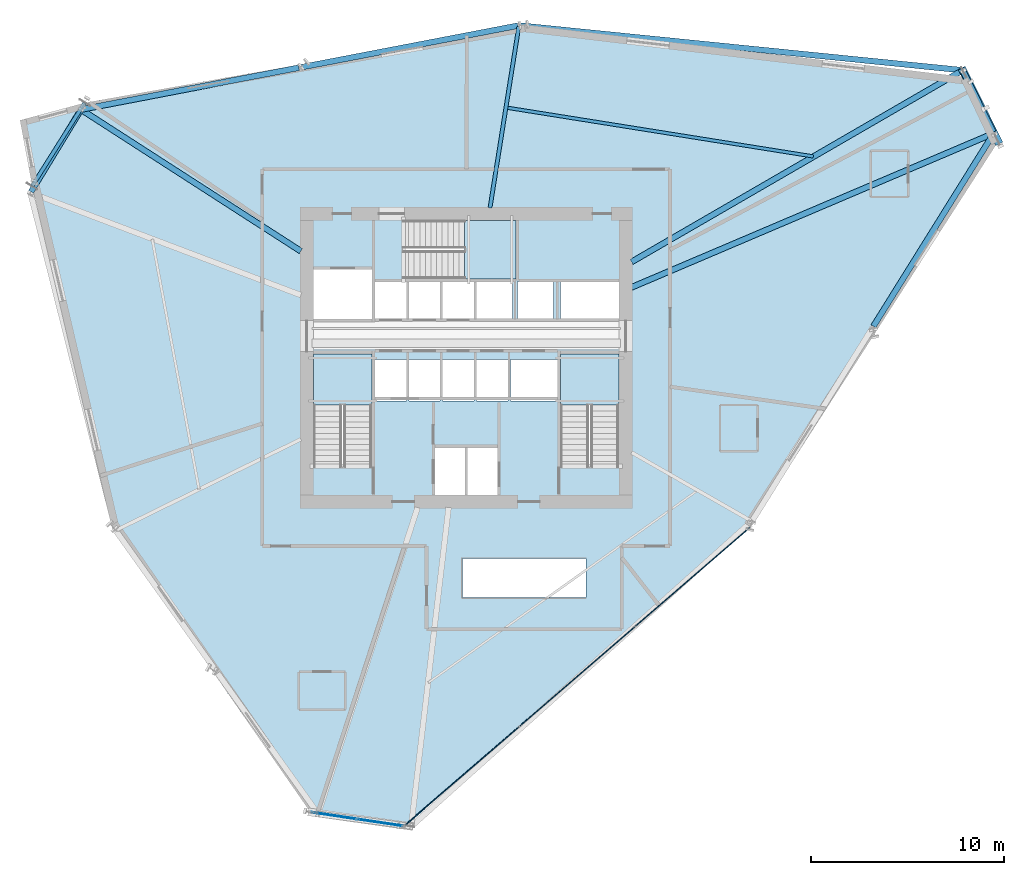
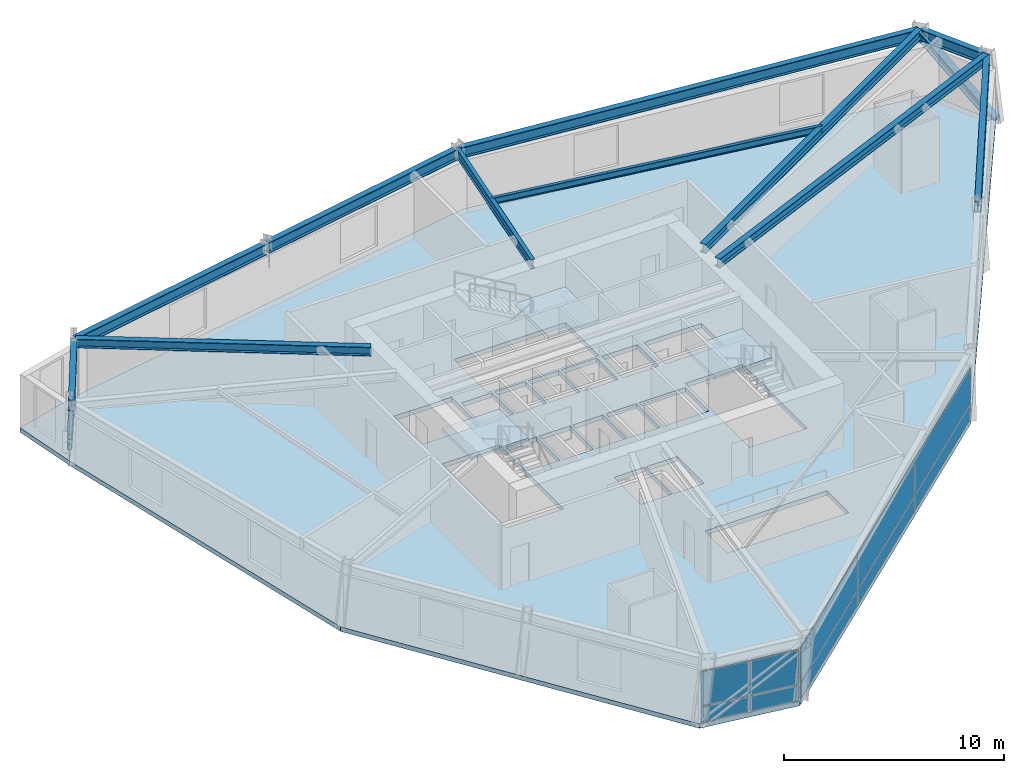
# One storey, part 8 of 16: 11 beams, 10 plates, 5 slabs, 3 members, 5 elements without a shape of their own.
"""IFC4 building model written with IfcOpenShell, lengths in metres."""

from ifc_helpers import new_model, si_unit, direction, frame, origin, origin_2d, place, context, subcontext, project, spatial, polyline, rectangle, hollow_rectangle, i_section, outline, extrude, source, transform, mapped, material, layer, layer_set, material_profile, profile_set, type_object, element, aggregate, save


model = new_model("IFC4")

# Units and contexts
model_context = context("Model", 3, precision=1e-05, world=origin(), true_north=direction((0.0, 1.0)))
body_context = subcontext(model_context, "Body", "Model", "MODEL_VIEW")
ifc_project = project(units=[si_unit("LENGTHUNIT", "METRE"), si_unit("AREAUNIT", "SQUARE_METRE"), si_unit("VOLUMEUNIT", "CUBIC_METRE"), si_unit("PLANEANGLEUNIT", "RADIAN"), si_unit("MASSUNIT", "GRAM", prefix="KILO")], contexts=[model_context])

# Site, building, storey
site_placement = place(None, origin())
site = spatial("IfcSite", under=ifc_project, at=site_placement, CompositionType="ELEMENT")
building_placement = place(site_placement, origin())
building = spatial("IfcBuilding", under=site, at=building_placement, Name="Olszyna Solenne Hotel", CompositionType="ELEMENT")
storey_placement = place(building_placement, frame((0.0, 0.0, 138.10009765625)))
storey = spatial("IfcBuildingStorey", under=building, at=storey_placement, Name="L36", CompositionType="ELEMENT", Elevation=138.10009765625)

# Beams
ifc_material_1 = material(Name="Steel S355J2", Category="steel")
ifc_material_profile_1 = material_profile(ifc_material_1, i_section(OverallWidth=0.300048828125, OverallDepth=0.60009765625, WebThickness=0.015380859375, FlangeThickness=0.030029296875, at=origin_2d()), Name="HEB 600", Category="load-bearing")
ifc_profile_set_1 = profile_set([ifc_material_profile_1], Name="Steel S355J2")
beam_type_1 = type_object("IfcBeamType", Name="BM-S2", PredefinedType="BEAM", material=ifc_profile_set_1)
shared_shape_1 = source(origin(), body_context, "Body", "SweptSolid", [
    extrude(i_section(OverallWidth=0.300048828125, OverallDepth=0.60009765625, WebThickness=0.015380859375, FlangeThickness=0.030029296875, at=origin_2d()), origin(), (0.0, 0.0, 1.0), 3.515380859375),
])
beam_1_placement = place(storey_placement, frame((65.2705078125, 38.2666015625, 3.27978515625), z_axis=(-0.442317737006, 0.896858416658, 0.0), x_axis=(-0.896858416658, -0.442317737006, 0.0)))
element("IfcBeam", 1, at=beam_1_placement, inside=storey, type_object=beam_type_1, Name="Perimeter spandrel beam BM-S2 B-L36-1069", PredefinedType="BEAM", context=body_context, shape_type="MappedRepresentation", body=[
    mapped(shared_shape_1, transform((0.0, 0.0, 0.0), x_axis=(1.0, 0.0, 0.0), y_axis=(0.0, 1.0, 0.0), z_axis=(0.0, 0.0, 1.0), scale=1.0)),
])
shared_shape_2 = source(origin(), body_context, "Body", "SweptSolid", [
    extrude(i_section(OverallWidth=0.300048828125, OverallDepth=0.60009765625, WebThickness=0.015380859375, FlangeThickness=0.030029296875, at=origin_2d()), origin(), (0.0, 0.0, 1.0), 22.95458984375),
])
beam_2_placement = place(storey_placement, frame((63.62939453125, 41.479248046875, 3.27978515625), z_axis=(-0.994945897154, 0.10041245807, 0.0), x_axis=(-0.10041245807, -0.994945897154, 0.0)))
element("IfcBeam", 2, at=beam_2_placement, inside=storey, type_object=beam_type_1, Name="Perimeter spandrel beam BM-S2 B-L36-1070", PredefinedType="BEAM", context=body_context, shape_type="MappedRepresentation", body=[
    mapped(shared_shape_2, transform((0.0, 0.0, 0.0), x_axis=(1.0, 0.0, 0.0), y_axis=(0.0, 1.0, 0.0), z_axis=(0.0, 0.0, 1.0), scale=1.0)),
])
shared_shape_3 = source(origin(), body_context, "Body", "SweptSolid", [
    extrude(i_section(OverallWidth=0.300048828125, OverallDepth=0.60009765625, WebThickness=0.015380859375, FlangeThickness=0.030029296875, at=origin_2d()), origin(), (0.0, 0.0, 1.0), 11.417236328125),
])
for number, where, z_axis, x_axis, name in (
    (3, (40.672119140625, 43.77880859375, 3.27978515625), (-0.982057657962, -0.188580901571, 0.0), (0.188580901571, -0.982057657962, 0.0), "Perimeter spandrel beam BM-S2 B-L36-1071"),
    (4, (29.341796875, 41.603271484375, 3.27978515625), (-0.982057657962, -0.188580901571, 0.0), (0.188580901571, -0.982057657962, 0.0), "Perimeter spandrel beam BM-S2 B-L36-1072"),
):
    element("IfcBeam", number, at=place(storey_placement, frame(where, z_axis=z_axis, x_axis=x_axis)), inside=storey, type_object=beam_type_1, Name=name, PredefinedType="BEAM", context=body_context, shape_type="MappedRepresentation", body=[
        mapped(shared_shape_3, transform((0.0, 0.0, 0.0), x_axis=(1.0, 0.0, 0.0), y_axis=(0.0, 1.0, 0.0), z_axis=(0.0, 0.0, 1.0), scale=1.0)),
    ])
shared_shape_4 = source(origin(), body_context, "Body", "SweptSolid", [
    extrude(i_section(OverallWidth=0.300048828125, OverallDepth=0.60009765625, WebThickness=0.015380859375, FlangeThickness=0.030029296875, at=origin_2d()), origin(), (0.0, 0.0, 1.0), 4.91845703125),
])
beam_3_placement = place(storey_placement, frame((18.039306640625, 39.3876953125, 3.27978515625), z_axis=(-0.519450831912, -0.854500341267, 0.0), x_axis=(0.854500341267, -0.519450831912, 0.0)))
element("IfcBeam", 5, at=beam_3_placement, inside=storey, type_object=beam_type_1, Name="Perimeter spandrel beam BM-S2 B-L36-1073", PredefinedType="BEAM", context=body_context, shape_type="MappedRepresentation", body=[
    mapped(shared_shape_4, transform((0.0, 0.0, 0.0), x_axis=(1.0, 0.0, 0.0), y_axis=(0.0, 1.0, 0.0), z_axis=(0.0, 0.0, 1.0), scale=1.0)),
])
shared_shape_5 = source(origin(), body_context, "Body", "SweptSolid", [
    extrude(i_section(OverallWidth=0.300048828125, OverallDepth=0.60009765625, WebThickness=0.015380859375, FlangeThickness=0.030029296875, at=origin_2d()), origin(), (0.0, 0.0, 1.0), 11.7109375),
])
beam_4_placement = place(storey_placement, frame((59.069580078125, 28.22412109375, 3.27978515625), z_axis=(0.529059789284, 0.848584550509, 0.0), x_axis=(-0.848584550509, 0.529059789284, 0.0)))
element("IfcBeam", 6, at=beam_4_placement, inside=storey, type_object=beam_type_1, Name="Perimeter spandrel beam BM-S2 B-L36-1080", PredefinedType="BEAM", context=body_context, shape_type="MappedRepresentation", body=[
    mapped(shared_shape_5, transform((0.0, 0.0, 0.0), x_axis=(1.0, 0.0, 0.0), y_axis=(0.0, 1.0, 0.0), z_axis=(0.0, 0.0, 1.0), scale=1.0)),
])
ifc_material_profile_2 = material_profile(ifc_material_1, i_section(OverallWidth=0.300048828125, OverallDepth=0.489990234375, WebThickness=0.011962890625, FlangeThickness=0.02294921875, at=origin_2d()), Name="HEA 500", Category="load-bearing")
ifc_profile_set_2 = profile_set([ifc_material_profile_2], Name="Steel S355J2")
beam_type_2 = type_object("IfcBeamType", Name="BM-G1", PredefinedType="BEAM", material=ifc_profile_set_2)
shared_shape_6 = source(origin(), body_context, "Body", "SweptSolid", [
    extrude(i_section(OverallWidth=0.300048828125, OverallDepth=0.489990234375, WebThickness=0.011962890625, FlangeThickness=0.02294921875, at=origin_2d()), origin(), (0.0, 0.0, 1.0), 20.30859375),
])
beam_5_placement = place(storey_placement, frame((65.24169921875, 38.189208984375, 3.3349609375), z_axis=(-0.92019075631, -0.391470269626, 0.0), x_axis=(0.391470269626, -0.92019075631, 0.0)))
element("IfcBeam", 7, at=beam_5_placement, inside=storey, type_object=beam_type_2, Name="Radial floor girder BM-G1 B-L36-1081", PredefinedType="BEAM", context=body_context, shape_type="MappedRepresentation", body=[
    mapped(shared_shape_6, transform((0.0, 0.0, 0.0), x_axis=(1.0, 0.0, 0.0), y_axis=(0.0, 1.0, 0.0), z_axis=(0.0, 0.0, 1.0), scale=1.0)),
])
shared_shape_7 = source(origin(), body_context, "Body", "SweptSolid", [
    extrude(i_section(OverallWidth=0.300048828125, OverallDepth=0.489990234375, WebThickness=0.011962890625, FlangeThickness=0.02294921875, at=origin_2d()), origin(), (0.0, 0.0, 1.0), 19.736572265625),
])
beam_6_placement = place(storey_placement, frame((63.63720703125, 41.443115234375, 3.3349609375), z_axis=(-0.865422615551, -0.501042609458, 0.0), x_axis=(0.501042609458, -0.865422615551, 0.0)))
element("IfcBeam", 8, at=beam_6_placement, inside=storey, type_object=beam_type_2, Name="Radial floor girder BM-G1 B-L36-1082", PredefinedType="BEAM", context=body_context, shape_type="MappedRepresentation", body=[
    mapped(shared_shape_7, transform((0.0, 0.0, 0.0), x_axis=(1.0, 0.0, 0.0), y_axis=(0.0, 1.0, 0.0), z_axis=(0.0, 0.0, 1.0), scale=1.0)),
])
ifc_material_profile_3 = material_profile(ifc_material_1, i_section(OverallWidth=0.199951171875, OverallDepth=0.5, WebThickness=0.01025390625, FlangeThickness=0.01611328125, at=origin_2d()), Name="IPE 500", Category="load-bearing")
ifc_profile_set_3 = profile_set([ifc_material_profile_3], Name="Steel S355J2")
beam_type_3 = type_object("IfcBeamType", Name="BM-F3", PredefinedType="BEAM", material=ifc_profile_set_3)
shared_shape_8 = source(origin(), body_context, "Body", "SweptSolid", [
    extrude(i_section(OverallWidth=0.199951171875, OverallDepth=0.5, WebThickness=0.01025390625, FlangeThickness=0.01611328125, at=origin_2d()), origin(), (0.0, 0.0, 1.0), 9.498046875),
])
beam_7_placement = place(storey_placement, frame((40.7216796875, 43.73095703125, 3.329833984375), z_axis=(-0.156899671891, -0.987614546754, 0.0), x_axis=(0.987614546754, -0.156899671891, 0.0)))
element("IfcBeam", 9, at=beam_7_placement, inside=storey, type_object=beam_type_3, Name="Radial floor girder BM-F3 B-L36-1083", PredefinedType="BEAM", context=body_context, shape_type="MappedRepresentation", body=[
    mapped(shared_shape_8, transform((0.0, 0.0, 0.0), x_axis=(1.0, 0.0, 0.0), y_axis=(0.0, 1.0, 0.0), z_axis=(0.0, 0.0, 1.0), scale=1.0)),
])
shared_shape_9 = source(origin(), body_context, "Body", "SweptSolid", [
    extrude(i_section(OverallWidth=0.300048828125, OverallDepth=0.489990234375, WebThickness=0.011962890625, FlangeThickness=0.02294921875, at=origin_2d()), origin(), (0.0, 0.0, 1.0), 13.466796875),
])
beam_8_placement = place(storey_placement, frame((18.12109375, 39.406494140625, 3.3349609375), z_axis=(0.840652657715, -0.541574656975, 0.0), x_axis=(0.541574656975, 0.840652657715, 0.0)))
element("IfcBeam", 10, at=beam_8_placement, inside=storey, type_object=beam_type_2, Name="Radial floor girder BM-G1 B-L36-1084", PredefinedType="BEAM", context=body_context, shape_type="MappedRepresentation", body=[
    mapped(shared_shape_9, transform((0.0, 0.0, 0.0), x_axis=(1.0, 0.0, 0.0), y_axis=(0.0, 1.0, 0.0), z_axis=(0.0, 0.0, 1.0), scale=1.0)),
])
ifc_material_profile_4 = material_profile(ifc_material_1, i_section(OverallWidth=0.169921875, OverallDepth=0.360107421875, WebThickness=0.008056640625, FlangeThickness=0.0126953125, at=origin_2d()), Name="IPE 360", Category="load-bearing")
ifc_profile_set_4 = profile_set([ifc_material_profile_4], Name="Steel S355J2")
beam_type_4 = type_object("IfcBeamType", Name="JS-01", PredefinedType="JOIST", material=ifc_profile_set_4)
shared_shape_10 = source(origin(), body_context, "Body", "SweptSolid", [
    extrude(i_section(OverallWidth=0.169921875, OverallDepth=0.360107421875, WebThickness=0.008056640625, FlangeThickness=0.0126953125, at=origin_2d()), origin(), (0.0, 0.0, 1.0), 16.08349609375),
])
beam_9_placement = place(storey_placement, frame((55.959716796875, 37.0126953125, 3.39990234375), z_axis=(-0.987583732022, 0.157093514336, 0.0), x_axis=(-0.157093514336, -0.987583732022, 0.0)))
element("IfcBeam", 11, at=beam_9_placement, inside=storey, type_object=beam_type_4, Name="Secondary composite floor joist JS-01 B-L36-1090", PredefinedType="JOIST", context=body_context, shape_type="MappedRepresentation", body=[
    mapped(shared_shape_10, transform((0.0, 0.0, 0.0), x_axis=(1.0, 0.0, 0.0), y_axis=(0.0, 1.0, 0.0), z_axis=(0.0, 0.0, 1.0), scale=1.0)),
])

# Members
ifc_material_profile_5 = material_profile(ifc_material_1, hollow_rectangle(XDim=0.199951171875, YDim=0.300048828125, WallThickness=0.01611328125, at=origin_2d()), Name="RHS 300x200x16", Category="load-bearing")
ifc_profile_set_5 = profile_set([ifc_material_profile_5], Name="Steel S355J2")
member_type_1 = type_object("IfcMemberType", Name="CH-PR1", PredefinedType="CHORD", material=ifc_profile_set_5)
shared_shape_11 = source(origin(), body_context, "Body", "SweptSolid", [
    extrude(hollow_rectangle(XDim=0.199951171875, YDim=0.300048828125, WallThickness=0.01611328125, at=origin_2d()), origin(), (0.0, 0.0, 1.0), 5.091796875),
])
for number, where, z_axis, x_axis, name in (
    (12, (18.25927734375, 39.78564453125, 1.349853515625), (-0.532836159759, -0.84621842739, 0.0), (0.84621842739, -0.532836159759, 0.0), "Glass-prism tie chord CH-PR1 M-L36-PR1"),
    (13, (18.25927734375, 39.78564453125, 0.77978515625), (-0.532836159759, -0.84621842739, 0.0), (0.84621842739, -0.532836159759, 0.0), "Glass-prism tie chord CH-PR1 M-L36-PR2"),
):
    element("IfcMember", number, at=place(storey_placement, frame(where, z_axis=z_axis, x_axis=x_axis)), inside=storey, type_object=member_type_1, Name=name, PredefinedType="CHORD", context=body_context, shape_type="MappedRepresentation", body=[
        mapped(shared_shape_11, transform((0.0, 0.0, 0.0), x_axis=(1.0, 0.0, 0.0), y_axis=(0.0, 1.0, 0.0), z_axis=(0.0, 0.0, 1.0), scale=1.0)),
    ])
ifc_material_2 = material(Name="Steel S460M", Category="steel")
ifc_material_profile_6 = material_profile(ifc_material_2, i_section(OverallWidth=0.406005859375, OverallDepth=0.416015625, WebThickness=0.026611328125, FlangeThickness=0.04150390625, at=origin_2d()), Name="HD 400x382", Category="load-bearing")
ifc_profile_set_6 = profile_set([ifc_material_profile_6], Name="Steel S460M")
member_type_2 = type_object("IfcMemberType", Name="BR-T2", PredefinedType="BRACE", material=ifc_profile_set_6)
shared_shape_12 = source(origin(), body_context, "Body", "SweptSolid", [
    extrude(i_section(OverallWidth=0.406005859375, OverallDepth=0.416015625, WebThickness=0.026611328125, FlangeThickness=0.04150390625, at=origin_2d()), origin(), (0.0, 0.0, 1.0), 5.241455078125),
])
member_placement = place(storey_placement, frame((65.524169921875, 37.78466796875, 0.010009765625), z_axis=(-0.350137060595, 0.703767573305, 0.618154706819), x_axis=(-0.895314279627, -0.445435001652, 0.0)))
element("IfcMember", 14, at=member_placement, inside=storey, type_object=member_type_2, Name="Perimeter braced-tube diagonal BR-T2 BR-L36-1", PredefinedType="BRACE", context=body_context, shape_type="MappedRepresentation", body=[
    mapped(shared_shape_12, transform((0.0, 0.0, 0.0), x_axis=(1.0, 0.0, 0.0), y_axis=(0.0, 1.0, 0.0), z_axis=(0.0, 0.0, 1.0), scale=1.0)),
])

# Stair, slab
ifc_material_3 = material(Name="Concrete C40/50", Category="concrete")
stair_type = type_object("IfcStairType", Name="STR-C1", PredefinedType="TWO_QUARTER_WINDING_STAIR", material=ifc_material_3)
stair_1_placement = place(storey_placement, origin())
stair_1 = element("IfcStair", 15, at=stair_1_placement, inside=storey, type_object=stair_type, Name="L36 ST1", PredefinedType="TWO_QUARTER_WINDING_STAIR")
ifc_layer_1 = layer(ifc_material_3, 0.18994140625, Name="Concrete C40/50")
ifc_layer_set_1 = layer_set([ifc_layer_1], Name="Concrete C40/50")
slab_type_1 = type_object("IfcSlabType", Name="SL-LN190", PredefinedType="LANDING", material=ifc_layer_set_1)
slab_1_placement = place(storey_placement, frame((0.0, 0.0, 1.7998046875)))
slab_1 = element("IfcSlab", 16, at=slab_1_placement, type_object=slab_type_1, Name="ST1 landing 1", PredefinedType="LANDING", context=body_context, shape_type="SweptSolid", body=[
    extrude(outline(polyline([(33.1201171875, 24.139892578125), (33.1201171875, 26.800048828125), (30.10009765625, 26.800048828125), (30.10009765625, 24.139892578125), (33.1201171875, 24.139892578125)])), origin(), (0.0, 0.0, 1.0), 0.2001953125),
])
aggregate(stair_1, [slab_1])

stair_2_placement = place(storey_placement, origin())
stair_2 = element("IfcStair", 17, at=stair_2_placement, inside=storey, type_object=stair_type, Name="L36 ST2", PredefinedType="TWO_QUARTER_WINDING_STAIR")
slab_2_placement = place(storey_placement, frame((0.0, 0.0, 1.7998046875)))
slab_2 = element("IfcSlab", 18, at=slab_2_placement, type_object=slab_type_1, Name="ST2 landing 1", PredefinedType="LANDING", context=body_context, shape_type="SweptSolid", body=[
    extrude(outline(polyline([(45.89990234375, 24.139892578125), (45.89990234375, 26.800048828125), (42.8798828125, 26.800048828125), (42.8798828125, 24.139892578125), (45.89990234375, 24.139892578125)])), origin(), (0.0, 0.0, 1.0), 0.2001953125),
])
aggregate(stair_2, [slab_2])

stair_3_placement = place(storey_placement, origin())
stair_3 = element("IfcStair", 19, at=stair_3_placement, inside=storey, type_object=stair_type, Name="L36 ST3", PredefinedType="TWO_QUARTER_WINDING_STAIR")
slab_3_placement = place(storey_placement, frame((0.0, 0.0, 1.7998046875)))
slab_3 = element("IfcSlab", 20, at=slab_3_placement, type_object=slab_type_1, Name="ST3 landing 1", PredefinedType="LANDING", context=body_context, shape_type="SweptSolid", body=[
    extrude(outline(polyline([(37.919921875, 30.679931640625), (40.580078125, 30.679931640625), (40.580078125, 33.699951171875), (37.919921875, 33.699951171875), (37.919921875, 30.679931640625)])), origin(), (0.0, 0.0, 1.0), 0.2001953125),
])
aggregate(stair_3, [slab_3])

# Slabs
ifc_material_4 = material(Name="Concrete C50/60", Category="concrete")
ifc_layer_2 = layer(ifc_material_4, 0.25, Name="Concrete C50/60")
ifc_layer_set_2 = layer_set([ifc_layer_2], Name="Concrete C50/60")
slab_type_2 = type_object("IfcSlabType", Name="SL-TW250", PredefinedType="FLOOR", material=ifc_layer_set_2)
slab_4_placement = place(storey_placement, frame((0.0, 0.0, -0.25)))
element("IfcSlab", 21, at=slab_4_placement, inside=storey, type_object=slab_type_2, Name="Floor slab SL-TW250 SL-L36-01", PredefinedType="FLOOR", context=body_context, shape_type="SweptSolid", body=[
    extrude(outline(polyline([(65.524169921875, 37.78466796875), (63.951171875, 41.1044921875), (41.00732421875, 43.83154296875), (18.25927734375, 39.78564453125), (15.546142578125, 35.476806640625), (19.64404296875, 17.906494140625), (29.934326171875, 3.086669921875), (34.78515625, 2.36181640625), (52.71337890625, 17.852783203125), (65.524169921875, 37.78466796875)]), holes=[polyline([(30.10009765625, 20.949951171875), (33.1201171875, 20.949951171875), (33.1201171875, 26.800048828125), (30.10009765625, 26.800048828125), (30.10009765625, 20.949951171875)]), polyline([(42.8798828125, 20.949951171875), (45.89990234375, 20.949951171875), (45.89990234375, 26.800048828125), (42.8798828125, 26.800048828125), (42.8798828125, 20.949951171875)]), polyline([(34.72998046875, 30.679931640625), (40.580078125, 30.679931640625), (40.580078125, 33.699951171875), (34.72998046875, 33.699951171875), (34.72998046875, 30.679931640625)]), polyline([(36.340087890625, 19.5), (37.9599609375, 19.5), (37.9599609375, 21.9599609375), (36.340087890625, 21.9599609375), (36.340087890625, 19.5)]), polyline([(38.0400390625, 19.5), (39.659912109375, 19.5), (39.659912109375, 21.9599609375), (38.0400390625, 21.9599609375), (38.0400390625, 19.5)]), polyline([(30.10009765625, 28.60009765625), (33.1201171875, 28.60009765625), (33.1201171875, 31.159912109375), (30.10009765625, 31.159912109375), (30.10009765625, 28.60009765625)]), polyline([(33.280029296875, 24.360107421875), (34.89990234375, 24.360107421875), (34.89990234375, 26.5), (33.280029296875, 26.5), (33.280029296875, 24.360107421875)]), polyline([(35.030029296875, 24.360107421875), (36.64990234375, 24.360107421875), (36.64990234375, 26.5), (35.030029296875, 26.5), (35.030029296875, 24.360107421875)]), polyline([(36.780029296875, 24.360107421875), (38.39990234375, 24.360107421875), (38.39990234375, 26.5), (36.780029296875, 26.5), (36.780029296875, 24.360107421875)]), polyline([(38.530029296875, 24.360107421875), (40.14990234375, 24.360107421875), (40.14990234375, 26.5), (38.530029296875, 26.5), (38.530029296875, 24.360107421875)]), polyline([(40.280029296875, 24.360107421875), (42.719970703125, 24.360107421875), (42.719970703125, 26.5), (40.280029296875, 26.5), (40.280029296875, 24.360107421875)]), polyline([(33.280029296875, 28.60009765625), (34.89990234375, 28.60009765625), (34.89990234375, 30.550048828125), (33.280029296875, 30.550048828125), (33.280029296875, 28.60009765625)]), polyline([(35.030029296875, 28.60009765625), (36.64990234375, 28.60009765625), (36.64990234375, 30.550048828125), (35.030029296875, 30.550048828125), (35.030029296875, 28.60009765625)]), polyline([(36.780029296875, 28.60009765625), (38.39990234375, 28.60009765625), (38.39990234375, 30.550048828125), (36.780029296875, 30.550048828125), (36.780029296875, 28.60009765625)]), polyline([(38.530029296875, 28.60009765625), (40.389892578125, 28.60009765625), (40.389892578125, 30.550048828125), (38.530029296875, 30.550048828125), (38.530029296875, 28.60009765625)]), polyline([(40.659912109375, 28.60009765625), (42.52001953125, 28.60009765625), (42.52001953125, 30.550048828125), (40.659912109375, 30.550048828125), (40.659912109375, 28.60009765625)]), polyline([(42.8798828125, 28.60009765625), (45.89990234375, 28.60009765625), (45.89990234375, 30.550048828125), (42.8798828125, 30.550048828125), (42.8798828125, 28.60009765625)]), polyline([(37.800048828125, 14.199951171875), (44.199951171875, 14.199951171875), (44.199951171875, 16.199951171875), (37.800048828125, 16.199951171875), (37.800048828125, 14.199951171875)])]), origin(), (0.0, 0.0, 1.0), 0.25),
])
slab_5_placement = place(storey_placement, frame((0.0, 0.0, -0.25)))
element("IfcSlab", 22, at=slab_5_placement, inside=storey, type_object=slab_type_2, Name="Faceted glass-prism floor slab SL-L36-PR", PredefinedType="FLOOR", context=body_context, shape_type="SweptSolid", body=[
    extrude(outline(polyline([(15.54345703125, 35.491455078125), (18.2451171875, 39.78173828125), (14.9140625, 38.88330078125), (15.54345703125, 35.491455078125)])), origin(), (0.0, 0.0, 1.0), 0.25),
])

# Curtain wall, plates
ifc_material_5 = material(Name="Anodised bronze aluminium", Category="aluminium")
curtain_wall_type = type_object("IfcCurtainWallType", Name="CW-SYS-6", PredefinedType="NOTDEFINED", material=ifc_material_5)
curtain_wall_1_placement = place(storey_placement, origin())
curtain_wall_1 = element("IfcCurtainWall", 23, at=curtain_wall_1_placement, inside=storey, type_object=curtain_wall_type, Name="Unitised curtain wall CW-SYS-6 CW-L36-01", PredefinedType="NOTDEFINED")
ifc_material_6 = material(Name="Terracotta cladding", Category="masonry")
plate_type_1 = type_object("IfcPlateType", Name="PN-SP1", PredefinedType="CURTAIN_PANEL", material=ifc_material_6)
shared_shape_13 = source(origin(), body_context, "Body", "SweptSolid", [
    extrude(rectangle(XDim=7.77783203125, YDim=0.048095703125, at=origin_2d()), origin(), (0.0, 0.0, 1.0), 0.83740234375),
])
plate_1_placement = place(storey_placement, frame((37.788330078125, 4.95654296875, 0.074951171875), z_axis=(0.0, 0.0, 1.0), x_axis=(0.756663174805, 0.653804894363, 0.0)))
plate_1 = element("IfcPlate", 24, at=plate_1_placement, type_object=plate_type_1, Name="Curtain-wall panel PN-SP1 CP-L36-01-01", PredefinedType="CURTAIN_PANEL", context=body_context, shape_type="MappedRepresentation", body=[
    mapped(shared_shape_13, transform((0.0, 0.0, 0.0), x_axis=(1.0, 0.0, 0.0), y_axis=(0.0, 1.0, 0.0), z_axis=(0.0, 0.0, 1.0), scale=1.0)),
])
plate_2_placement = place(storey_placement, frame((49.710205078125, 15.2578125, 0.074951171875), z_axis=(0.0, 0.0, 1.0), x_axis=(0.756663174805, 0.653804894363, 0.0)))
plate_2 = element("IfcPlate", 25, at=plate_2_placement, type_object=plate_type_1, Name="Curtain-wall panel PN-SP1 CP-L36-01-05", PredefinedType="CURTAIN_PANEL", context=body_context, shape_type="MappedRepresentation", body=[
    mapped(shared_shape_13, transform((0.0, 0.0, 0.0), x_axis=(1.0, 0.0, 0.0), y_axis=(0.0, 1.0, 0.0), z_axis=(0.0, 0.0, 1.0), scale=1.0)),
])
ifc_material_7 = material(Name="Low-E triple glazing", Category="glass")
plate_type_2 = type_object("IfcPlateType", Name="PN-GL2", PredefinedType="CURTAIN_PANEL", material=ifc_material_7)
shared_shape_14 = source(origin(), body_context, "Body", "SweptSolid", [
    extrude(rectangle(XDim=7.77783203125, YDim=0.048095703125, at=origin_2d()), origin(), (0.0, 0.0, 1.0), 1.909423828125),
])
plate_3_placement = place(storey_placement, frame((37.788330078125, 4.95654296875, 0.9873046875), z_axis=(0.0, 0.0, 1.0), x_axis=(0.756663174805, 0.653804894363, 0.0)))
plate_3 = element("IfcPlate", 26, at=plate_3_placement, type_object=plate_type_2, Name="Curtain-wall panel PN-GL2 CP-L36-01-02", PredefinedType="CURTAIN_PANEL", context=body_context, shape_type="MappedRepresentation", body=[
    mapped(shared_shape_14, transform((0.0, 0.0, 0.0), x_axis=(1.0, 0.0, 0.0), y_axis=(0.0, 1.0, 0.0), z_axis=(0.0, 0.0, 1.0), scale=1.0)),
])
plate_4_placement = place(storey_placement, frame((49.710205078125, 15.2578125, 0.9873046875), z_axis=(0.0, 0.0, 1.0), x_axis=(0.756663174805, 0.653804894363, 0.0)))
plate_4 = element("IfcPlate", 27, at=plate_4_placement, type_object=plate_type_2, Name="Curtain-wall panel PN-GL2 CP-L36-01-06", PredefinedType="CURTAIN_PANEL", context=body_context, shape_type="MappedRepresentation", body=[
    mapped(shared_shape_14, transform((0.0, 0.0, 0.0), x_axis=(1.0, 0.0, 0.0), y_axis=(0.0, 1.0, 0.0), z_axis=(0.0, 0.0, 1.0), scale=1.0)),
])
shared_shape_15 = source(origin(), body_context, "Body", "SweptSolid", [
    extrude(rectangle(XDim=7.81787109375, YDim=0.048095703125, at=origin_2d()), origin(), (0.0, 0.0, 1.0), 0.83740234375),
])
plate_5_placement = place(storey_placement, frame((43.749267578125, 10.107177734375, 0.074951171875), z_axis=(0.0, 0.0, 1.0), x_axis=(0.756663174805, 0.653804894363, 0.0)))
plate_5 = element("IfcPlate", 28, at=plate_5_placement, type_object=plate_type_1, Name="Curtain-wall panel PN-SP1 CP-L36-01-03", PredefinedType="CURTAIN_PANEL", context=body_context, shape_type="MappedRepresentation", body=[
    mapped(shared_shape_15, transform((0.0, 0.0, 0.0), x_axis=(1.0, 0.0, 0.0), y_axis=(0.0, 1.0, 0.0), z_axis=(0.0, 0.0, 1.0), scale=1.0)),
])
shared_shape_16 = source(origin(), body_context, "Body", "SweptSolid", [
    extrude(rectangle(XDim=7.81787109375, YDim=0.048095703125, at=origin_2d()), origin(), (0.0, 0.0, 1.0), 1.909423828125),
])
plate_6_placement = place(storey_placement, frame((43.749267578125, 10.107177734375, 0.9873046875), z_axis=(0.0, 0.0, 1.0), x_axis=(0.756663174805, 0.653804894363, 0.0)))
plate_6 = element("IfcPlate", 29, at=plate_6_placement, type_object=plate_type_2, Name="Curtain-wall panel PN-GL2 CP-L36-01-04", PredefinedType="CURTAIN_PANEL", context=body_context, shape_type="MappedRepresentation", body=[
    mapped(shared_shape_16, transform((0.0, 0.0, 0.0), x_axis=(1.0, 0.0, 0.0), y_axis=(0.0, 1.0, 0.0), z_axis=(0.0, 0.0, 1.0), scale=1.0)),
])
aggregate(curtain_wall_1, [plate_1, plate_3, plate_5, plate_6, plate_2, plate_4])

curtain_wall_2_placement = place(storey_placement, origin())
curtain_wall_2 = element("IfcCurtainWall", 30, at=curtain_wall_2_placement, inside=storey, type_object=curtain_wall_type, Name="Unitised curtain wall CW-SYS-6 CW-L36-02", PredefinedType="NOTDEFINED")
shared_shape_17 = source(origin(), body_context, "Body", "SweptSolid", [
    extrude(rectangle(XDim=2.332275390625, YDim=0.048095703125, at=origin_2d()), origin(), (0.0, 0.0, 1.0), 0.83740234375),
])
plate_7_placement = place(storey_placement, frame((31.166748046875, 2.90234375, 0.074951171875), z_axis=(0.0, 0.0, 1.0), x_axis=(0.98901800511, -0.14779507965, 0.0)))
plate_7 = element("IfcPlate", 31, at=plate_7_placement, type_object=plate_type_1, Name="Curtain-wall panel PN-SP1 CP-L36-02-01", PredefinedType="CURTAIN_PANEL", context=body_context, shape_type="MappedRepresentation", body=[
    mapped(shared_shape_17, transform((0.0, 0.0, 0.0), x_axis=(1.0, 0.0, 0.0), y_axis=(0.0, 1.0, 0.0), z_axis=(0.0, 0.0, 1.0), scale=1.0)),
])
plate_8_placement = place(storey_placement, frame((33.552734375, 2.5458984375, 0.074951171875), z_axis=(0.0, 0.0, 1.0), x_axis=(0.98901800511, -0.14779507965, 0.0)))
plate_8 = element("IfcPlate", 32, at=plate_8_placement, type_object=plate_type_1, Name="Curtain-wall panel PN-SP1 CP-L36-02-03", PredefinedType="CURTAIN_PANEL", context=body_context, shape_type="MappedRepresentation", body=[
    mapped(shared_shape_17, transform((0.0, 0.0, 0.0), x_axis=(1.0, 0.0, 0.0), y_axis=(0.0, 1.0, 0.0), z_axis=(0.0, 0.0, 1.0), scale=1.0)),
])
shared_shape_18 = source(origin(), body_context, "Body", "SweptSolid", [
    extrude(rectangle(XDim=2.332275390625, YDim=0.048095703125, at=origin_2d()), origin(), (0.0, 0.0, 1.0), 1.909423828125),
])
plate_9_placement = place(storey_placement, frame((31.166748046875, 2.90234375, 0.9873046875), z_axis=(0.0, 0.0, 1.0), x_axis=(0.98901800511, -0.14779507965, 0.0)))
plate_9 = element("IfcPlate", 33, at=plate_9_placement, type_object=plate_type_2, Name="Curtain-wall panel PN-GL2 CP-L36-02-02", PredefinedType="CURTAIN_PANEL", context=body_context, shape_type="MappedRepresentation", body=[
    mapped(shared_shape_18, transform((0.0, 0.0, 0.0), x_axis=(1.0, 0.0, 0.0), y_axis=(0.0, 1.0, 0.0), z_axis=(0.0, 0.0, 1.0), scale=1.0)),
])
plate_10_placement = place(storey_placement, frame((33.552734375, 2.5458984375, 0.9873046875), z_axis=(0.0, 0.0, 1.0), x_axis=(0.98901800511, -0.14779507965, 0.0)))
plate_10 = element("IfcPlate", 34, at=plate_10_placement, type_object=plate_type_2, Name="Curtain-wall panel PN-GL2 CP-L36-02-04", PredefinedType="CURTAIN_PANEL", context=body_context, shape_type="MappedRepresentation", body=[
    mapped(shared_shape_18, transform((0.0, 0.0, 0.0), x_axis=(1.0, 0.0, 0.0), y_axis=(0.0, 1.0, 0.0), z_axis=(0.0, 0.0, 1.0), scale=1.0)),
])
aggregate(curtain_wall_2, [plate_7, plate_9, plate_8, plate_10])

save(model, "model.ifc")
